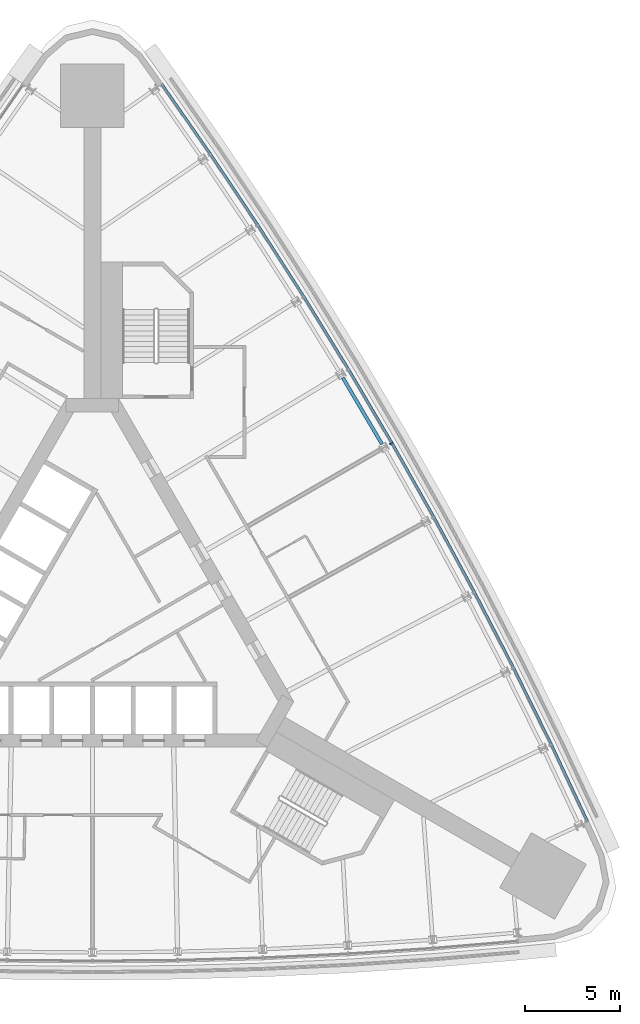
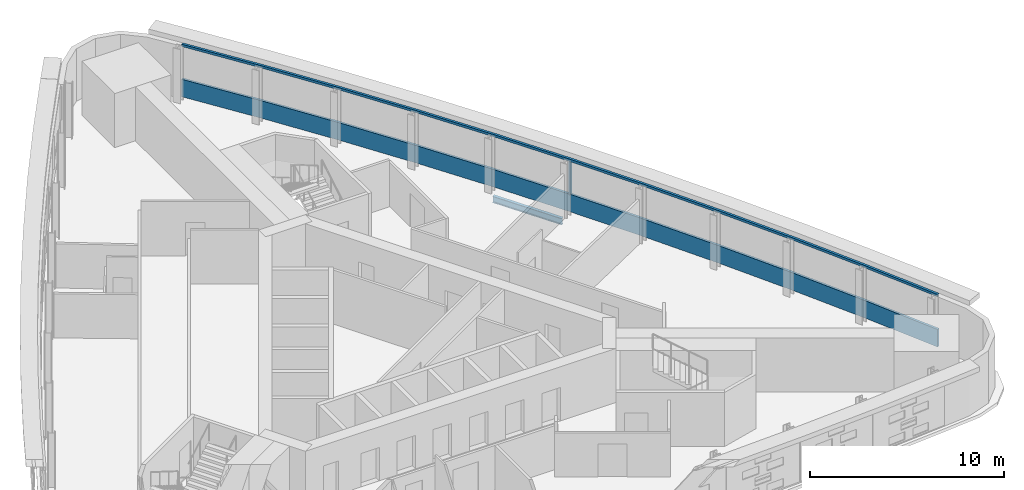
# One storey, part 7 of 14: 3 members, 1 beam, 1 element without a shape of its own.
"""IFC4 building model written with IfcOpenShell, lengths in metres."""

from ifc_helpers import new_model, si_unit, direction, frame, origin, origin_2d, place, context, subcontext, project, spatial, polyline, rectangle, i_section, outline, extrude, material, material_profile, profile_set, type_object, element, aggregate, save


model = new_model("IFC4")

# Units and contexts
model_context = context("Model", 3, precision=1e-05, world=origin(), true_north=direction((0.0, 1.0)))
body_context = subcontext(model_context, "Body", "Model", "MODEL_VIEW")
ifc_project = project(units=[si_unit("LENGTHUNIT", "METRE"), si_unit("AREAUNIT", "SQUARE_METRE"), si_unit("VOLUMEUNIT", "CUBIC_METRE"), si_unit("PLANEANGLEUNIT", "RADIAN"), si_unit("MASSUNIT", "GRAM", prefix="KILO")], contexts=[model_context])

# Site, building, storey
site_placement = place(None, origin())
site = spatial("IfcSite", under=ifc_project, at=site_placement, CompositionType="ELEMENT")
building_placement = place(site_placement, origin())
building = spatial("IfcBuilding", under=site, at=building_placement, Name="Noor Cloister Tower", CompositionType="ELEMENT")
storey_placement = place(building_placement, frame((0.0, 0.0, 34.800048828125)))
storey = spatial("IfcBuildingStorey", under=building, at=storey_placement, Name="L08", CompositionType="ELEMENT", Elevation=34.800048828125)

# Curtain wall, members
ifc_material_1 = material(Name="Aluminium 6063-T6 anodised", Category="aluminium")
curtain_wall_type = type_object("IfcCurtainWallType", Name="Ribbon curtain wall, lower tower CW1", PredefinedType="NOTDEFINED", material=ifc_material_1)
curtain_wall_placement = place(storey_placement, origin())
curtain_wall = element("IfcCurtainWall", 1, at=curtain_wall_placement, inside=storey, type_object=curtain_wall_type, Name="CW1 L08 NE run 3", PredefinedType="NOTDEFINED")
ifc_material_2 = material(Name="Aluminium 6063-T6 anodised", Category="aluminium")
member_type_1 = type_object("IfcMemberType", Name="Head transom CW1 150", PredefinedType="USERDEFINED", material=ifc_material_2)
member_1_placement = place(storey_placement, frame((0.0, 0.0, 3.14990234375)))
member_1 = element("IfcMember", 2, at=member_1_placement, type_object=member_type_1, Name="CW1 head transom", ObjectType="TRANSOM", PredefinedType="USERDEFINED", context=body_context, shape_type="SweptSolid", body=[
    extrude(outline(polyline([(26.176025390625, -10.830078125), (24.26220703125, -6.75732421875), (22.272216796875, -2.721435546875), (20.207275390625, 1.27685546875), (18.067626953125, 5.2353515625), (15.854248046875, 9.1533203125), (13.56787109375, 13.029296875), (11.209228515625, 16.861572265625), (8.779296875, 20.64892578125), (6.279052734375, 24.390380859375), (3.708984375, 28.084228515625), (3.593994140625, 28.004150390625), (6.163330078125, 24.3115234375), (8.662353515625, 20.572265625), (11.0908203125, 16.787109375), (13.447998046875, 12.95703125), (15.73291015625, 9.08349609375), (17.945068359375, 5.167724609375), (20.08349609375, 1.21142578125), (22.147216796875, -2.784423828125), (24.135986328125, -6.818115234375), (26.04931640625, -10.8896484375), (26.176025390625, -10.830078125)])), origin(), (0.0, 0.0, 1.0), 0.150146484375),
])
ifc_material_3 = material(Name="Aluminium 6063-T6 anodised", Category="aluminium")
ifc_material_profile_1 = material_profile(ifc_material_3, rectangle(XDim=0.199951171875, YDim=0.080078125, at=origin_2d()), Name="200 x 80 mullion")
ifc_profile_set_1 = profile_set([ifc_material_profile_1], Name="Aluminium 6063-T6 anodised")
member_type_2 = type_object("IfcMemberType", Name="Mullion CW1 80 x 200", PredefinedType="MULLION", material=ifc_profile_set_1)
member_2_placement = place(storey_placement, frame((15.767578125, 9.103515625, 1.099853515625), z_axis=(0.0, 0.0, 1.0), x_axis=(-0.866025403784, -0.5, 0.0)))
member_2 = element("IfcMember", 3, at=member_2_placement, type_object=member_type_2, Name="CW1 mullion 6", PredefinedType="MULLION", context=body_context, shape_type="SweptSolid", body=[
    extrude(rectangle(XDim=0.199951171875, YDim=0.080078125, at=origin_2d()), origin(), (0.0, 0.0, 1.0), 2.050048828125),
])
ifc_material_4 = material(Name="Aluminium 6063-T6 anodised", Category="aluminium")
member_type_3 = type_object("IfcMemberType", Name="Sill transom CW1 1100", PredefinedType="USERDEFINED", material=ifc_material_4)
member_3_placement = place(storey_placement, origin())
member_3 = element("IfcMember", 4, at=member_3_placement, type_object=member_type_3, Name="CW1 sill transom", ObjectType="TRANSOM", PredefinedType="USERDEFINED", context=body_context, shape_type="SweptSolid", body=[
    extrude(outline(polyline([(26.176025390625, -10.830078125), (24.26220703125, -6.75732421875), (22.272216796875, -2.721435546875), (20.207275390625, 1.27685546875), (18.067626953125, 5.2353515625), (15.854248046875, 9.1533203125), (13.56787109375, 13.029296875), (11.209228515625, 16.861572265625), (8.779296875, 20.64892578125), (6.279052734375, 24.390380859375), (3.708984375, 28.084228515625), (3.593994140625, 28.004150390625), (6.163330078125, 24.3115234375), (8.662353515625, 20.572265625), (11.0908203125, 16.787109375), (13.447998046875, 12.95703125), (15.73291015625, 9.08349609375), (17.945068359375, 5.167724609375), (20.08349609375, 1.21142578125), (22.147216796875, -2.784423828125), (24.135986328125, -6.818115234375), (26.04931640625, -10.8896484375), (26.176025390625, -10.830078125)])), origin(), (0.0, 0.0, 1.0), 1.099853515625),
])
aggregate(curtain_wall, [member_2, member_3, member_1])

# Beam
ifc_material_5 = material(Name="Steel ASTM A992 Gr 50", Category="steel")
ifc_material_profile_2 = material_profile(ifc_material_5, i_section(OverallWidth=0.177978515625, OverallDepth=0.406005859375, WebThickness=0.0078125, FlangeThickness=0.0126953125, FilletRadius=0.01025390625, at=origin_2d()), Name="W410x60")
ifc_profile_set_2 = profile_set([ifc_material_profile_2], Name="Steel ASTM A992 Gr 50")
beam_type = type_object("IfcBeamType", Name="Spandrel beam W410x60", PredefinedType="SPANDREL", material=ifc_profile_set_2)
beam_placement = place(storey_placement, frame((15.275146484375, 9.052490234375, -0.403076171875), z_axis=(-0.508074831261, 0.861312931424, 0.0), x_axis=(-0.861312931424, -0.508074831261, 0.0)))
element("IfcBeam", 5, at=beam_placement, inside=storey, type_object=beam_type, Name="Spandrel beam NE 06 L08", PredefinedType="SPANDREL", context=body_context, shape_type="SweptSolid", body=[
    extrude(i_section(OverallWidth=0.177978515625, OverallDepth=0.406005859375, WebThickness=0.0078125, FlangeThickness=0.0126953125, FilletRadius=0.01025390625, at=origin_2d()), origin(), (0.0, 0.0, 1.0), 4.08544921875),
])

save(model, "model.ifc")
